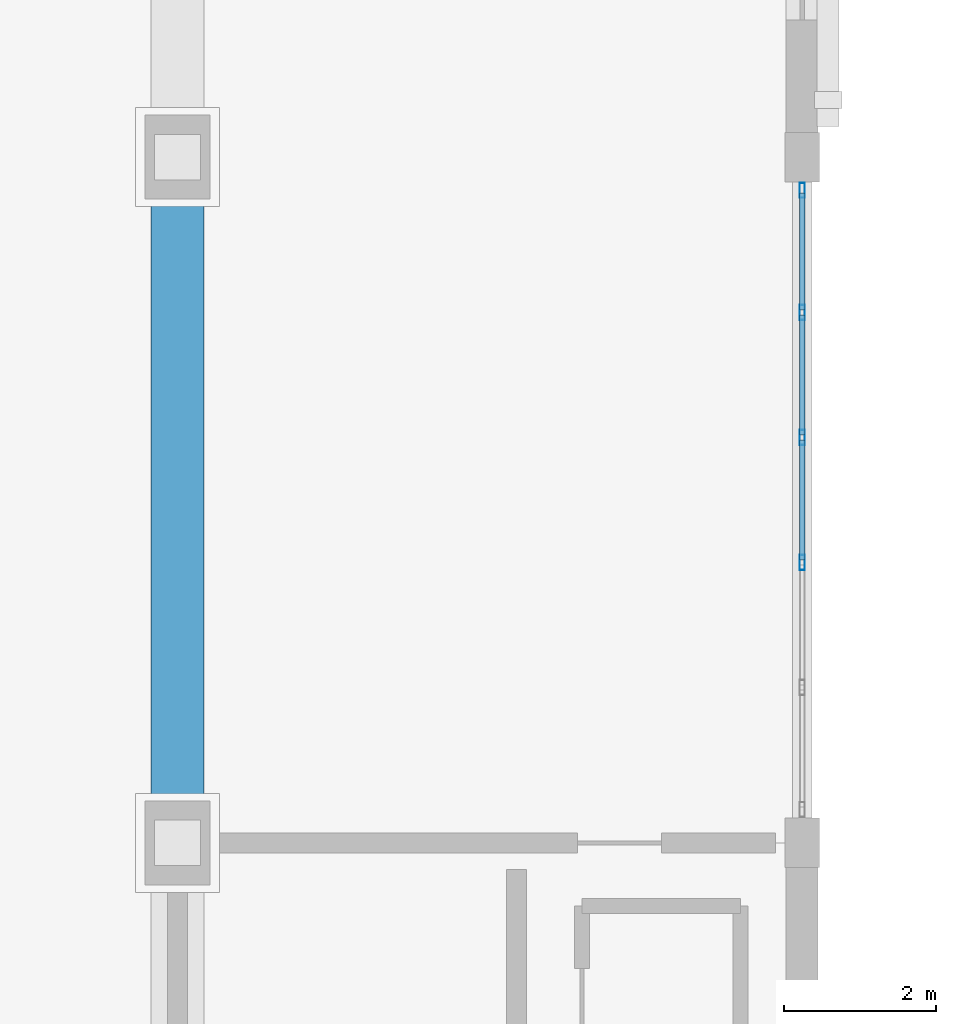
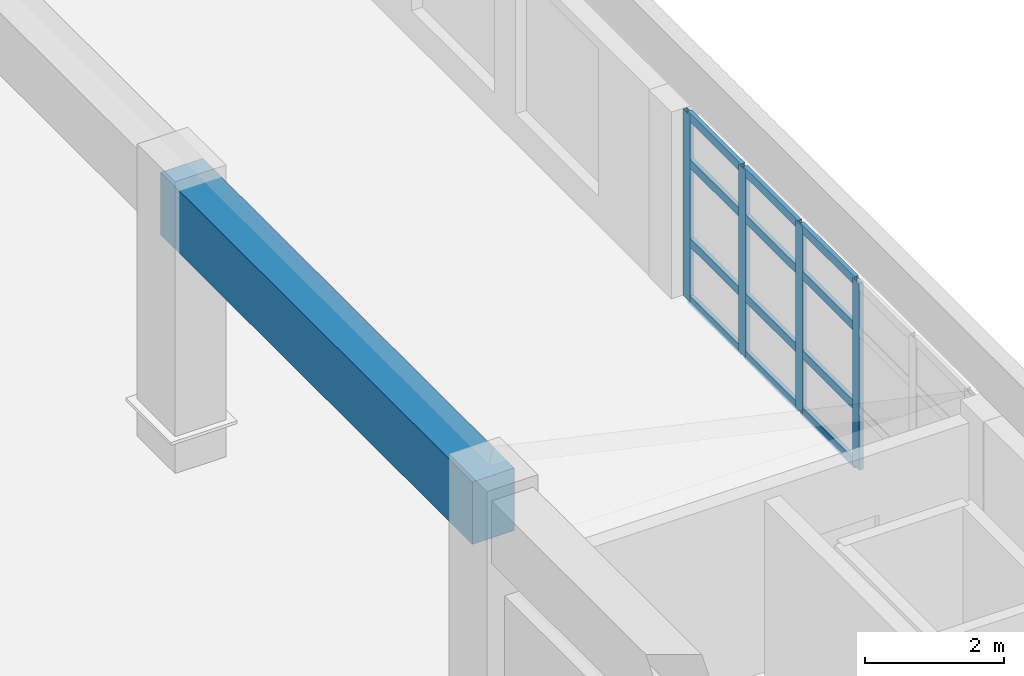
# One storey, part 19 of 80: 16 members, 1 beam, 1 element without a shape of its own.
"""IFC4 building model written with IfcOpenShell, lengths in metres."""

from ifc_helpers import new_model, si_unit, direction, frame, origin, origin_2d, place, context, subcontext, project, spatial, rectangle, hollow_rectangle, extrude, material, layer, layer_set, material_profile, profile_set, type_object, element, aggregate, save


model = new_model("IFC4")

# Units and contexts
model_context = context("Model", 3, precision=1e-05, world=origin(), true_north=direction((0.0, 1.0)))
body_context = subcontext(model_context, "Body", "Model", "MODEL_VIEW")
ifc_project = project(units=[si_unit("LENGTHUNIT", "METRE"), si_unit("AREAUNIT", "SQUARE_METRE"), si_unit("VOLUMEUNIT", "CUBIC_METRE"), si_unit("PLANEANGLEUNIT", "RADIAN"), si_unit("MASSUNIT", "GRAM", prefix="KILO")], contexts=[model_context])

# Site, building, storey
site_placement = place(None, origin())
site = spatial("IfcSite", under=ifc_project, at=site_placement, CompositionType="ELEMENT")
building_placement = place(site_placement, origin())
building = spatial("IfcBuilding", under=site, at=building_placement, Name="Ornek Quay Market", CompositionType="ELEMENT")
storey_placement = place(building_placement, frame((0.0, 0.0, 8.39990234375)))
storey = spatial("IfcBuildingStorey", under=building, at=storey_placement, Name="L02", CompositionType="ELEMENT", Elevation=8.39990234375)

# Beam
ifc_material_1 = material(Name="Concrete C45/55", Category="concrete")
ifc_material_profile_1 = material_profile(ifc_material_1, rectangle(XDim=0.699951171875, YDim=1.10009765625, at=origin_2d()), Name="RC 700x1100", Category="concrete")
ifc_profile_set_1 = profile_set([ifc_material_profile_1], Name="Concrete C45/55")
beam_type = type_object("IfcBeamType", Name="BM-ARCH-TIE-700x1100", PredefinedType="BEAM", material=ifc_profile_set_1)
beam_placement = place(storey_placement, frame((117.0, 38.0, 4.400146484375), z_axis=(0.0, 1.0, 0.0), x_axis=(-1.0, 0.0, 0.0)))
element("IfcBeam", 1, at=beam_placement, inside=storey, type_object=beam_type, Name="Arch springing edge tie beam E-E", PredefinedType="BEAM", context=body_context, shape_type="SweptSolid", body=[
    extrude(rectangle(XDim=0.699951171875, YDim=1.10009765625, at=origin_2d()), origin(), (0.0, 0.0, 1.0), 9.0),
])

# Curtain wall, members
ifc_material_2 = material(Name="Anodised bronze aluminium and triple low-e glass", Category="aluminium")
ifc_layer = layer(ifc_material_2, 0.239990234375, Name="Anodised bronze aluminium and triple low-e glass", Category="aluminium")
ifc_layer_set = layer_set([ifc_layer], Name="Anodised bronze aluminium and triple low-e glass")
curtain_wall_type = type_object("IfcCurtainWallType", Name="CW-GAB-MOD1800", PredefinedType="USERDEFINED", material=ifc_layer_set)
curtain_wall_placement = place(storey_placement, origin())
curtain_wall = element("IfcCurtainWall", 2, at=curtain_wall_placement, inside=storey, type_object=curtain_wall_type, Name="Curtain wall CW-060", ObjectType="CURTAIN WALL", PredefinedType="USERDEFINED")
ifc_material_3 = material(Name="Anodised aluminium 6063-T6", Category="aluminium")
ifc_material_profile_2 = material_profile(ifc_material_3, hollow_rectangle(XDim=0.070068359375, YDim=0.199951171875, WallThickness=0.0048828125, at=origin_2d()), Name="CW-MUL-70x200", Category="aluminium")
ifc_profile_set_2 = profile_set([ifc_material_profile_2], Name="Anodised aluminium 6063-T6")
member_type_1 = type_object("IfcMemberType", Name="CW-MUL-70x200", PredefinedType="MULLION", material=ifc_profile_set_2)
member_1_placement = place(storey_placement, frame((125.199951171875, 41.679931640625, 0.0), z_axis=(0.0, 0.0, 1.0), x_axis=(-1.0, 0.0, 0.0)))
member_1 = element("IfcMember", 3, at=member_1_placement, type_object=member_type_1, Name="CW-060 mullion 3", PredefinedType="MULLION", context=body_context, shape_type="SweptSolid", body=[
    extrude(hollow_rectangle(XDim=0.070068359375, YDim=0.199951171875, WallThickness=0.0048828125, at=origin_2d()), origin(), (0.0, 0.0, 1.0), 3.2900390625),
])
member_2_placement = place(storey_placement, frame((125.199951171875, 43.320068359375, 0.0), z_axis=(0.0, 0.0, 1.0), x_axis=(-1.0, 0.0, 0.0)))
member_2 = element("IfcMember", 4, at=member_2_placement, type_object=member_type_1, Name="CW-060 mullion 4", PredefinedType="MULLION", context=body_context, shape_type="SweptSolid", body=[
    extrude(hollow_rectangle(XDim=0.070068359375, YDim=0.199951171875, WallThickness=0.0048828125, at=origin_2d()), origin(), (0.0, 0.0, 1.0), 3.2900390625),
])
member_3_placement = place(storey_placement, frame((125.199951171875, 44.9599609375, 0.0), z_axis=(0.0, 0.0, 1.0), x_axis=(-1.0, 0.0, 0.0)))
member_3 = element("IfcMember", 5, at=member_3_placement, type_object=member_type_1, Name="CW-060 mullion 5", PredefinedType="MULLION", context=body_context, shape_type="SweptSolid", body=[
    extrude(hollow_rectangle(XDim=0.070068359375, YDim=0.199951171875, WallThickness=0.0048828125, at=origin_2d()), origin(), (0.0, 0.0, 1.0), 3.2900390625),
])
member_4_placement = place(storey_placement, frame((125.199951171875, 46.56494140625, 0.0), z_axis=(0.0, 0.0, 1.0), x_axis=(-1.0, 0.0, 0.0)))
member_4 = element("IfcMember", 6, at=member_4_placement, type_object=member_type_1, Name="CW-060 mullion 6", PredefinedType="MULLION", context=body_context, shape_type="SweptSolid", body=[
    extrude(hollow_rectangle(XDim=0.070068359375, YDim=0.199951171875, WallThickness=0.0048828125, at=origin_2d()), origin(), (0.0, 0.0, 1.0), 3.2900390625),
])
ifc_material_profile_3 = material_profile(ifc_material_3, hollow_rectangle(XDim=0.070068359375, YDim=0.14990234375, WallThickness=0.0048828125, at=origin_2d()), Name="CW-TRN-70x150", Category="aluminium")
ifc_profile_set_3 = profile_set([ifc_material_profile_3], Name="Anodised aluminium 6063-T6")
member_type_2 = type_object("IfcMemberType", Name="CW-TRN-70x150", PredefinedType="USERDEFINED", material=ifc_profile_set_3)
member_5_placement = place(storey_placement, frame((125.199951171875, 41.715087890625, 0.03515625), z_axis=(0.0, 1.0, 0.0), x_axis=(-1.0, 0.0, 0.0)))
member_5 = element("IfcMember", 7, at=member_5_placement, type_object=member_type_2, Name="CW-060 transom 3.1", ObjectType="TRANSOM", PredefinedType="USERDEFINED", context=body_context, shape_type="SweptSolid", body=[
    extrude(hollow_rectangle(XDim=0.070068359375, YDim=0.14990234375, WallThickness=0.0048828125, at=origin_2d()), origin(), (0.0, 0.0, 1.0), 1.56982421875),
])
member_6_placement = place(storey_placement, frame((125.199951171875, 41.715087890625, 1.050048828125), z_axis=(0.0, 1.0, 0.0), x_axis=(-1.0, 0.0, 0.0)))
member_6 = element("IfcMember", 8, at=member_6_placement, type_object=member_type_2, Name="CW-060 transom 3.2", ObjectType="TRANSOM", PredefinedType="USERDEFINED", context=body_context, shape_type="SweptSolid", body=[
    extrude(hollow_rectangle(XDim=0.070068359375, YDim=0.14990234375, WallThickness=0.0048828125, at=origin_2d()), origin(), (0.0, 0.0, 1.0), 1.56982421875),
])
member_7_placement = place(storey_placement, frame((125.199951171875, 41.715087890625, 2.440185546875), z_axis=(0.0, 1.0, 0.0), x_axis=(-1.0, 0.0, 0.0)))
member_7 = element("IfcMember", 9, at=member_7_placement, type_object=member_type_2, Name="CW-060 transom 3.3", ObjectType="TRANSOM", PredefinedType="USERDEFINED", context=body_context, shape_type="SweptSolid", body=[
    extrude(hollow_rectangle(XDim=0.070068359375, YDim=0.14990234375, WallThickness=0.0048828125, at=origin_2d()), origin(), (0.0, 0.0, 1.0), 1.56982421875),
])
member_8_placement = place(storey_placement, frame((125.199951171875, 41.715087890625, 3.255126953125), z_axis=(0.0, 1.0, 0.0), x_axis=(-1.0, 0.0, 0.0)))
member_8 = element("IfcMember", 10, at=member_8_placement, type_object=member_type_2, Name="CW-060 transom 3.4", ObjectType="TRANSOM", PredefinedType="USERDEFINED", context=body_context, shape_type="SweptSolid", body=[
    extrude(hollow_rectangle(XDim=0.070068359375, YDim=0.14990234375, WallThickness=0.0048828125, at=origin_2d()), origin(), (0.0, 0.0, 1.0), 1.56982421875),
])
member_9_placement = place(storey_placement, frame((125.199951171875, 43.35498046875, 0.03515625), z_axis=(0.0, 1.0, 0.0), x_axis=(-1.0, 0.0, 0.0)))
member_9 = element("IfcMember", 11, at=member_9_placement, type_object=member_type_2, Name="CW-060 transom 4.1", ObjectType="TRANSOM", PredefinedType="USERDEFINED", context=body_context, shape_type="SweptSolid", body=[
    extrude(hollow_rectangle(XDim=0.070068359375, YDim=0.14990234375, WallThickness=0.0048828125, at=origin_2d()), origin(), (0.0, 0.0, 1.0), 1.570068359375),
])
member_10_placement = place(storey_placement, frame((125.199951171875, 43.35498046875, 1.050048828125), z_axis=(0.0, 1.0, 0.0), x_axis=(-1.0, 0.0, 0.0)))
member_10 = element("IfcMember", 12, at=member_10_placement, type_object=member_type_2, Name="CW-060 transom 4.2", ObjectType="TRANSOM", PredefinedType="USERDEFINED", context=body_context, shape_type="SweptSolid", body=[
    extrude(hollow_rectangle(XDim=0.070068359375, YDim=0.14990234375, WallThickness=0.0048828125, at=origin_2d()), origin(), (0.0, 0.0, 1.0), 1.570068359375),
])
member_11_placement = place(storey_placement, frame((125.199951171875, 43.35498046875, 2.440185546875), z_axis=(0.0, 1.0, 0.0), x_axis=(-1.0, 0.0, 0.0)))
member_11 = element("IfcMember", 13, at=member_11_placement, type_object=member_type_2, Name="CW-060 transom 4.3", ObjectType="TRANSOM", PredefinedType="USERDEFINED", context=body_context, shape_type="SweptSolid", body=[
    extrude(hollow_rectangle(XDim=0.070068359375, YDim=0.14990234375, WallThickness=0.0048828125, at=origin_2d()), origin(), (0.0, 0.0, 1.0), 1.570068359375),
])
member_12_placement = place(storey_placement, frame((125.199951171875, 43.35498046875, 3.255126953125), z_axis=(0.0, 1.0, 0.0), x_axis=(-1.0, 0.0, 0.0)))
member_12 = element("IfcMember", 14, at=member_12_placement, type_object=member_type_2, Name="CW-060 transom 4.4", ObjectType="TRANSOM", PredefinedType="USERDEFINED", context=body_context, shape_type="SweptSolid", body=[
    extrude(hollow_rectangle(XDim=0.070068359375, YDim=0.14990234375, WallThickness=0.0048828125, at=origin_2d()), origin(), (0.0, 0.0, 1.0), 1.570068359375),
])
member_13_placement = place(storey_placement, frame((125.199951171875, 44.9951171875, 0.03515625), z_axis=(0.0, 1.0, 0.0), x_axis=(-1.0, 0.0, 0.0)))
member_13 = element("IfcMember", 15, at=member_13_placement, type_object=member_type_2, Name="CW-060 transom 5.1", ObjectType="TRANSOM", PredefinedType="USERDEFINED", context=body_context, shape_type="SweptSolid", body=[
    extrude(hollow_rectangle(XDim=0.070068359375, YDim=0.14990234375, WallThickness=0.0048828125, at=origin_2d()), origin(), (0.0, 0.0, 1.0), 1.534912109375),
])
member_14_placement = place(storey_placement, frame((125.199951171875, 44.9951171875, 1.050048828125), z_axis=(0.0, 1.0, 0.0), x_axis=(-1.0, 0.0, 0.0)))
member_14 = element("IfcMember", 16, at=member_14_placement, type_object=member_type_2, Name="CW-060 transom 5.2", ObjectType="TRANSOM", PredefinedType="USERDEFINED", context=body_context, shape_type="SweptSolid", body=[
    extrude(hollow_rectangle(XDim=0.070068359375, YDim=0.14990234375, WallThickness=0.0048828125, at=origin_2d()), origin(), (0.0, 0.0, 1.0), 1.534912109375),
])
member_15_placement = place(storey_placement, frame((125.199951171875, 44.9951171875, 2.440185546875), z_axis=(0.0, 1.0, 0.0), x_axis=(-1.0, 0.0, 0.0)))
member_15 = element("IfcMember", 17, at=member_15_placement, type_object=member_type_2, Name="CW-060 transom 5.3", ObjectType="TRANSOM", PredefinedType="USERDEFINED", context=body_context, shape_type="SweptSolid", body=[
    extrude(hollow_rectangle(XDim=0.070068359375, YDim=0.14990234375, WallThickness=0.0048828125, at=origin_2d()), origin(), (0.0, 0.0, 1.0), 1.534912109375),
])
member_16_placement = place(storey_placement, frame((125.199951171875, 44.9951171875, 3.255126953125), z_axis=(0.0, 1.0, 0.0), x_axis=(-1.0, 0.0, 0.0)))
member_16 = element("IfcMember", 18, at=member_16_placement, type_object=member_type_2, Name="CW-060 transom 5.4", ObjectType="TRANSOM", PredefinedType="USERDEFINED", context=body_context, shape_type="SweptSolid", body=[
    extrude(hollow_rectangle(XDim=0.070068359375, YDim=0.14990234375, WallThickness=0.0048828125, at=origin_2d()), origin(), (0.0, 0.0, 1.0), 1.534912109375),
])
aggregate(curtain_wall, [member_1, member_2, member_3, member_4, member_5, member_6, member_7, member_8, member_9, member_10, member_11, member_12, member_13, member_14, member_15, member_16])

save(model, "model.ifc")
